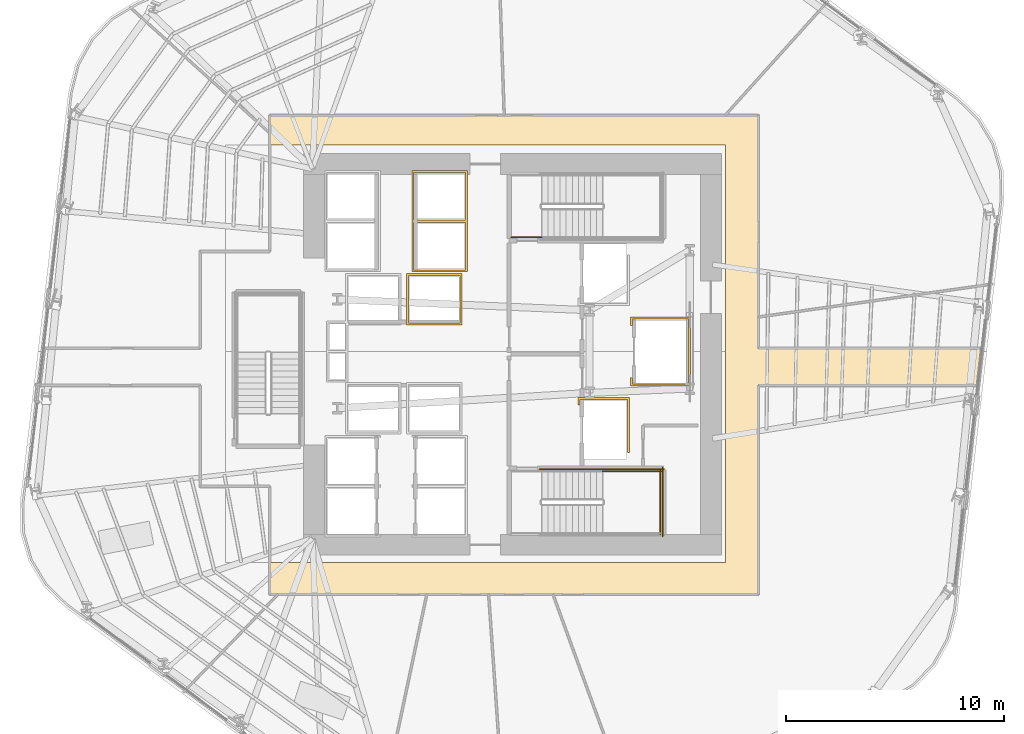
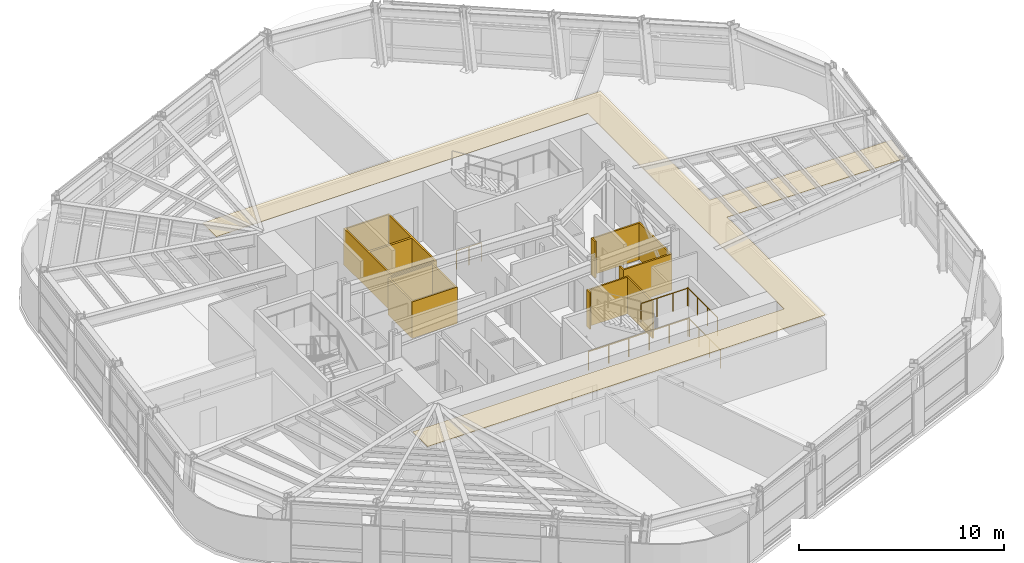
# One storey, part 13 of 16: 5 coverings, 5 railings.
"""IFC4 building model written with IfcOpenShell, lengths in metres."""

from ifc_helpers import new_model, si_unit, direction, frame, origin, origin_2d, place, context, subcontext, project, spatial, polyline, circle, outline, extrude, material, layer, layer_set, type_object, element, save


model = new_model("IFC4")

# Units and contexts
model_context = context("Model", 3, precision=1e-05, world=origin(), true_north=direction((0.0, 1.0)))
body_context = subcontext(model_context, "Body", "Model", "MODEL_VIEW")
ifc_project = project(units=[si_unit("LENGTHUNIT", "METRE"), si_unit("AREAUNIT", "SQUARE_METRE"), si_unit("VOLUMEUNIT", "CUBIC_METRE"), si_unit("PLANEANGLEUNIT", "RADIAN"), si_unit("MASSUNIT", "GRAM", prefix="KILO")], contexts=[model_context])

# Site, building, storey
site_placement = place(None, origin())
site = spatial("IfcSite", under=ifc_project, at=site_placement, CompositionType="ELEMENT")
building_placement = place(site_placement, origin())
building = spatial("IfcBuilding", under=site, at=building_placement, Name="Valkerne Bourse Tower", CompositionType="ELEMENT")
storey_placement = place(building_placement, frame((0.0, 0.0, 123.800048828125)))
storey = spatial("IfcBuildingStorey", under=building, at=storey_placement, Name="L31", CompositionType="ELEMENT", Elevation=123.800048828125)

# Coverings
ifc_material_1 = material(Name="Bronze Anodised Aluminium AA 6063-T6", Category="aluminium")
ifc_layer_1 = layer(ifc_material_1, 0.030029296875)
ifc_layer_set_1 = layer_set([ifc_layer_1], Name="Bronze Anodised Aluminium AA 6063-T6")
covering_type_1 = type_object("IfcCoveringType", Name="COV-CEIL-METAL", PredefinedType="CEILING", material=ifc_layer_set_1)
covering_1_placement = place(storey_placement, frame((0.0, 0.0, 3.22998046875)))
element("IfcCovering", 1, at=covering_1_placement, inside=storey, type_object=covering_type_1, Name="L31 Suspended Ceiling 01", PredefinedType="CEILING", context=body_context, shape_type="SweptSolid", body=[
    extrude(outline(polyline([(68.3408203125, 27.14599609375), (68.148681640625, 25.4541015625), (58.095947265625, 25.4541015625), (58.095947265625, 15.85400390625), (35.654052734375, 15.85400390625), (35.654052734375, 17.300048828125), (56.60009765625, 17.300048828125), (56.60009765625, 36.5), (35.654052734375, 36.5), (35.654052734375, 37.845947265625), (58.095947265625, 37.845947265625), (58.095947265625, 27.14599609375), (68.3408203125, 27.14599609375)])), origin(), (0.0, 0.0, 1.0), 0.02490234375),
])
ifc_material_2 = material(Name="Gypsum Shaftwall Liner Board", Category="gypsum")
ifc_layer_2 = layer(ifc_material_2, 0.080078125)
ifc_layer_set_2 = layer_set([ifc_layer_2], Name="Gypsum Shaftwall Liner Board")
covering_type_2 = type_object("IfcCoveringType", Name="COV-SHF-CLAD", PredefinedType="CLADDING", material=ifc_layer_set_2)
covering_2_placement = place(storey_placement, origin())
element("IfcCovering", 2, at=covering_2_placement, inside=storey, type_object=covering_type_2, Name="L31 Hoistway & Riser Shaftwall Liner 07", PredefinedType="CLADDING", context=body_context, shape_type="SweptSolid", body=[
    extrude(outline(polyline([(52.179931640625, 22.35009765625), (52.090087890625, 22.35009765625), (52.090087890625, 24.7900390625), (49.909912109375, 24.7900390625), (49.909912109375, 24.560791015625), (49.869384765625, 24.550537109375), (49.827880859375, 24.53564453125), (49.820068359375, 24.531982421875), (49.820068359375, 24.8798828125), (52.179931640625, 24.8798828125), (52.179931640625, 22.35009765625)])), origin(), (0.0, 0.0, 1.0), 2.179931640625),
])
covering_3_placement = place(storey_placement, origin())
element("IfcCovering", 3, at=covering_3_placement, inside=storey, type_object=covering_type_2, Name="L31 Hoistway & Riser Shaftwall Liner 08", PredefinedType="CLADDING", context=body_context, shape_type="SweptSolid", body=[
    extrude(outline(polyline([(54.97998046875, 25.419921875), (52.219970703125, 25.419921875), (52.219970703125, 25.81787109375), (52.227783203125, 25.814208984375), (52.269287109375, 25.79931640625), (52.31005859375, 25.789306640625), (52.31005859375, 25.510009765625), (54.889892578125, 25.510009765625), (54.889892578125, 28.489990234375), (52.31005859375, 28.489990234375), (52.31005859375, 28.210693359375), (52.269287109375, 28.20068359375), (52.227783203125, 28.185791015625), (52.219970703125, 28.18212890625), (52.219970703125, 28.580078125), (54.97998046875, 28.580078125), (54.97998046875, 25.419921875)])), origin(), (0.0, 0.0, 1.0), 2.179931640625),
])
covering_4_placement = place(storey_placement, origin())
element("IfcCovering", 4, at=covering_4_placement, inside=storey, type_object=covering_type_2, Name="L31 Hoistway & Riser Shaftwall Liner 09", PredefinedType="CLADDING", context=body_context, shape_type="SweptSolid", body=[
    extrude(outline(polyline([(44.47998046875, 28.219970703125), (41.919921875, 28.219970703125), (41.919921875, 30.580078125), (44.47998046875, 30.580078125), (44.47998046875, 28.219970703125)]), holes=[polyline([(42.010009765625, 30.489990234375), (42.010009765625, 28.31005859375), (44.389892578125, 28.31005859375), (44.389892578125, 30.489990234375), (42.010009765625, 30.489990234375)])]), origin(), (0.0, 0.0, 1.0), 2.179931640625),
])
covering_5_placement = place(storey_placement, origin())
element("IfcCovering", 5, at=covering_5_placement, inside=storey, type_object=covering_type_2, Name="L31 Hoistway & Riser Shaftwall Liner 11", PredefinedType="CLADDING", context=body_context, shape_type="SweptSolid", body=[
    extrude(outline(polyline([(44.72998046875, 35.330078125), (44.72998046875, 33.030029296875), (44.72998046875, 32.969970703125), (44.72998046875, 30.669921875), (42.169921875, 30.669921875), (42.169921875, 32.969970703125), (42.169921875, 33.030029296875), (42.169921875, 35.330078125), (44.72998046875, 35.330078125)]), holes=[polyline([(42.260009765625, 30.760009765625), (44.639892578125, 30.760009765625), (44.639892578125, 32.93994140625), (42.260009765625, 32.93994140625), (42.260009765625, 30.760009765625)]), polyline([(42.260009765625, 33.06005859375), (44.639892578125, 33.06005859375), (44.639892578125, 35.239990234375), (42.260009765625, 35.239990234375), (42.260009765625, 33.06005859375)])]), origin(), (0.0, 0.0, 1.0), 2.179931640625),
])

# Railings
ifc_material_3 = material(Name="Galvanised Painted Steel", Category="steel")
railing_type = type_object("IfcRailingType", Name="RLG-ST-GUARD-1120", PredefinedType="GUARDRAIL", material=ifc_material_3)
railing_1_placement = place(storey_placement, frame((50.949951171875, 21.5, 1.89990234375)))
element("IfcRailing", 6, at=railing_1_placement, inside=storey, type_object=railing_type, Name="L31 ST-1 stair guard 4", PredefinedType="GUARDRAIL", context=body_context, shape_type="SweptSolid", body=[
    extrude(circle(Radius=0.02392578125, at=origin_2d()), frame((0.0, 0.0, 1.09619140625), z_axis=(1.0, 0.0, 0.0), x_axis=(0.0, 1.0, 0.0)), (0.0, 0.0, 1.0), 2.699951171875),
    extrude(circle(Radius=0.02099609375, at=origin_2d()), origin(), (0.0, 0.0, 1.0), 1.072021484375),
    extrude(circle(Radius=0.02099609375, at=origin_2d()), frame((0.89990234375, 0.0, 0.0)), (0.0, 0.0, 1.0), 1.072021484375),
    extrude(circle(Radius=0.02099609375, at=origin_2d()), frame((1.800048828125, 0.0, 0.0)), (0.0, 0.0, 1.0), 1.072021484375),
    extrude(circle(Radius=0.02099609375, at=origin_2d()), frame((2.699951171875, 0.0, 0.0)), (0.0, 0.0, 1.0), 1.072021484375),
])
railing_2_placement = place(storey_placement, frame((53.60009765625, 18.60009765625, 1.89990234375)))
element("IfcRailing", 7, at=railing_2_placement, inside=storey, type_object=railing_type, Name="L31 ST-1 stair guard 5", PredefinedType="GUARDRAIL", context=body_context, shape_type="SweptSolid", body=[
    extrude(circle(Radius=0.02392578125, at=origin_2d()), frame((0.0, 0.0, 1.09619140625), z_axis=(0.0, 1.0, 0.0), x_axis=(-1.0, 0.0, 0.0)), (0.0, 0.0, 1.0), 2.949951171875),
    extrude(circle(Radius=0.02099609375, at=origin_2d()), origin(), (0.0, 0.0, 1.0), 1.072021484375),
    extrude(circle(Radius=0.02099609375, at=origin_2d()), frame((0.0, 0.9833984375, 0.0)), (0.0, 0.0, 1.0), 1.072021484375),
    extrude(circle(Radius=0.02099609375, at=origin_2d()), frame((0.0, 1.966552734375, 0.0)), (0.0, 0.0, 1.0), 1.072021484375),
    extrude(circle(Radius=0.02099609375, at=origin_2d()), frame((0.0, 2.949951171875, 0.0)), (0.0, 0.0, 1.0), 1.072021484375),
])
railing_3_placement = place(storey_placement, frame((48.050048828125, 21.60009765625, 0.0)))
element("IfcRailing", 8, at=railing_3_placement, inside=storey, type_object=railing_type, Name="L31 ST-1 stair guard 11", PredefinedType="GUARDRAIL", context=body_context, shape_type="SweptSolid", body=[
    extrude(circle(Radius=0.02392578125, at=origin_2d()), frame((0.0, 0.0, 1.09619140625), z_axis=(1.0, 0.0, 0.0), x_axis=(0.0, 1.0, 0.0)), (0.0, 0.0, 1.0), 5.699951171875),
    extrude(circle(Radius=0.02099609375, at=origin_2d()), origin(), (0.0, 0.0, 1.0), 1.072021484375),
    extrude(circle(Radius=0.02099609375, at=origin_2d()), frame((1.139892578125, 0.0, 0.0)), (0.0, 0.0, 1.0), 1.072021484375),
    extrude(circle(Radius=0.02099609375, at=origin_2d()), frame((2.280029296875, 0.0, 0.0)), (0.0, 0.0, 1.0), 1.072021484375),
    extrude(circle(Radius=0.02099609375, at=origin_2d()), frame((3.419921875, 0.0, 0.0)), (0.0, 0.0, 1.0), 1.072021484375),
    extrude(circle(Radius=0.02099609375, at=origin_2d()), frame((4.56005859375, 0.0, 0.0)), (0.0, 0.0, 1.0), 1.072021484375),
    extrude(circle(Radius=0.02099609375, at=origin_2d()), frame((5.699951171875, 0.0, 0.0)), (0.0, 0.0, 1.0), 1.072021484375),
])
railing_4_placement = place(storey_placement, frame((53.699951171875, 18.5, 0.0)))
element("IfcRailing", 9, at=railing_4_placement, inside=storey, type_object=railing_type, Name="L31 ST-1 stair guard 12", PredefinedType="GUARDRAIL", context=body_context, shape_type="SweptSolid", body=[
    extrude(circle(Radius=0.02392578125, at=origin_2d()), frame((0.0, 0.0, 1.09619140625), z_axis=(0.0, 1.0, 0.0), x_axis=(-1.0, 0.0, 0.0)), (0.0, 0.0, 1.0), 3.14990234375),
    extrude(circle(Radius=0.02099609375, at=origin_2d()), origin(), (0.0, 0.0, 1.0), 1.072021484375),
    extrude(circle(Radius=0.02099609375, at=origin_2d()), frame((0.0, 1.050048828125, 0.0)), (0.0, 0.0, 1.0), 1.072021484375),
    extrude(circle(Radius=0.02099609375, at=origin_2d()), frame((0.0, 2.099853515625, 0.0)), (0.0, 0.0, 1.0), 1.072021484375),
    extrude(circle(Radius=0.02099609375, at=origin_2d()), frame((0.0, 3.14990234375, 0.0)), (0.0, 0.0, 1.0), 1.072021484375),
])
railing_5_placement = place(storey_placement, frame((46.75, 32.25, 0.0)))
element("IfcRailing", 10, at=railing_5_placement, inside=storey, type_object=railing_type, Name="L31 ST-2 stair guard 8", PredefinedType="GUARDRAIL", context=body_context, shape_type="SweptSolid", body=[
    extrude(circle(Radius=0.02392578125, at=origin_2d()), frame((0.0, 0.0, 1.09619140625), z_axis=(1.0, 0.0, 0.0), x_axis=(0.0, 1.0, 0.0)), (0.0, 0.0, 1.0), 1.39990234375),
    extrude(circle(Radius=0.02099609375, at=origin_2d()), origin(), (0.0, 0.0, 1.0), 1.072021484375),
    extrude(circle(Radius=0.02099609375, at=origin_2d()), frame((0.699951171875, 0.0, 0.0)), (0.0, 0.0, 1.0), 1.072021484375),
    extrude(circle(Radius=0.02099609375, at=origin_2d()), frame((1.39990234375, 0.0, 0.0)), (0.0, 0.0, 1.0), 1.072021484375),
])

save(model, "model.ifc")
